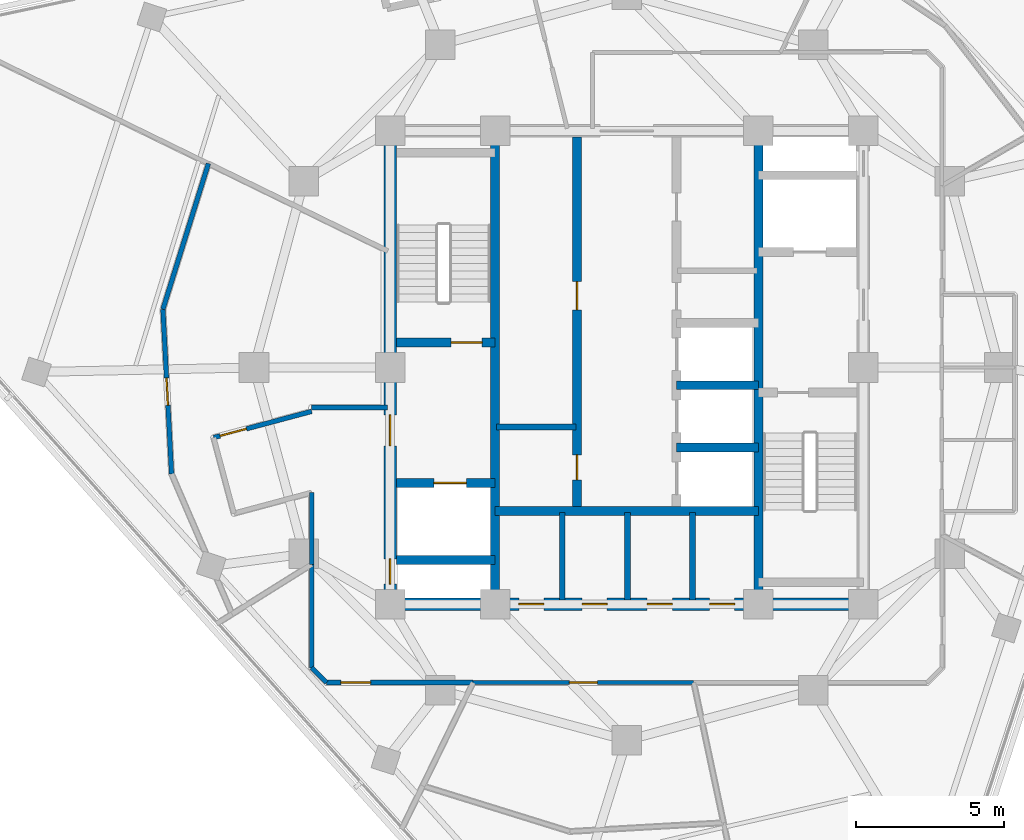
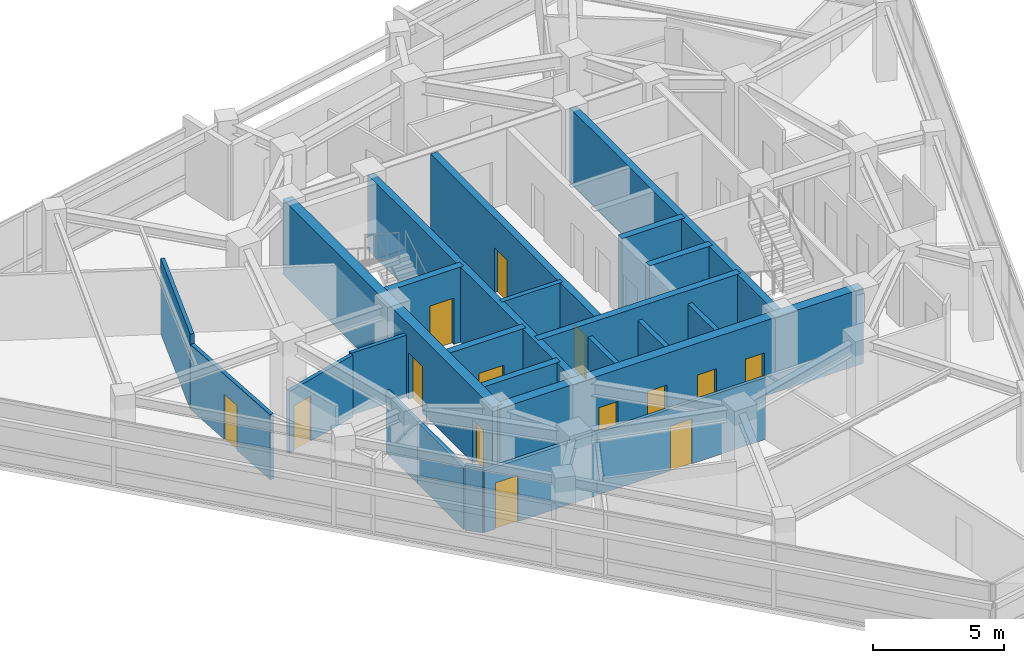
# One storey, part 8 of 15: 24 walls, 14 doors, 14 openings.
"""IFC4 building model written with IfcOpenShell, lengths in metres."""

from ifc_helpers import new_model, si_unit, direction, frame, frame_2d, origin, place, context, subcontext, project, spatial, rectangle, extrude, material, layer, layer_set, type_object, element, fill, save


model = new_model("IFC4")

# Units and contexts
model_context = context("Model", 3, precision=1e-05, world=origin(), true_north=direction((0.0, 1.0)))
body_context = subcontext(model_context, "Body", "Model", "MODEL_VIEW")
ifc_project = project(units=[si_unit("LENGTHUNIT", "METRE"), si_unit("AREAUNIT", "SQUARE_METRE"), si_unit("VOLUMEUNIT", "CUBIC_METRE"), si_unit("PLANEANGLEUNIT", "RADIAN"), si_unit("MASSUNIT", "GRAM", prefix="KILO")], contexts=[model_context])

# Site, building, storey
site_placement = place(None, origin())
site = spatial("IfcSite", under=ifc_project, at=site_placement, CompositionType="ELEMENT")
building_placement = place(site_placement, origin())
building = spatial("IfcBuilding", under=site, at=building_placement, Name="Terralouvre Media Tower", CompositionType="ELEMENT")
storey_placement = place(building_placement, frame((0.0, 0.0, 305.39990234375)))
storey = spatial("IfcBuildingStorey", under=building, at=storey_placement, Name="L79", CompositionType="ELEMENT", Elevation=305.39990234375)

# Walls
ifc_material_1 = material(Name="Concrete C50/60", Category="concrete")
ifc_layer_1 = layer(ifc_material_1, 0.300048828125, Name="Core Internal Shaft Wall CW-300")
ifc_layer_set_1 = layer_set([ifc_layer_1], Name="Concrete C50/60")
wall_type_1 = type_object("IfcWallType", Name="Core Internal Shaft Wall CW-300", PredefinedType="SHEAR", material=ifc_layer_set_1)
for number, where, z_axis, x_axis, name in (
    (1, (-4.449951171875, -7.7900390625, 0.0), (0.0, 0.0, 1.0), (0.0, 1.0, 0.0), "L79 Core Shaft Wall SPW"),
    (2, (4.449951171875, -7.7900390625, 0.0), (0.0, 0.0, 1.0), (0.0, 1.0, 0.0), "L79 Core Shaft Wall SPE"),
):
    element("IfcWall", number, at=place(storey_placement, frame(where, z_axis=z_axis, x_axis=x_axis)), inside=storey, type_object=wall_type_1, Name=name, PredefinedType="SHEAR", context=body_context, shape_type="SweptSolid", body=[
        extrude(rectangle(XDim=15.580078125, YDim=0.300048828125, at=frame_2d((7.7900390625, 0.0))), origin(), (0.0, 0.0, 1.0), 3.5),
    ])

# Wall, opening, door
wall_1_placement = place(storey_placement, frame((-7.7900390625, 0.85009765625, 0.0), z_axis=(0.0, 0.0, 1.0), x_axis=(1.0, 0.0, 0.0)))
wall_1 = element("IfcWall", 3, at=wall_1_placement, inside=storey, type_object=wall_type_1, Name="L79 Core Shaft Wall ST1D", PredefinedType="SHEAR", context=body_context, shape_type="SweptSolid", body=[
    extrude(rectangle(XDim=3.340087890625, YDim=0.300048828125, at=frame_2d((1.669921875, 0.0))), origin(), (0.0, 0.0, 1.0), 3.5),
])
opening_1_placement = place(wall_1_placement, frame((1.85009765625, 0.0, 0.0)))
opening_1 = element("IfcOpeningElement", 4, at=opening_1_placement, cuts=wall_1, Name="Opening FD-01-105X215", PredefinedType="OPENING", context=body_context, shape_type="SweptSolid", body=[
    extrude(rectangle(XDim=1.050048828125, YDim=2.14990234375, at=frame_2d((0.52490234375, 1.074951171875))), frame((0.0, 0.159912109375, 0.0), z_axis=(0.0, -1.0, 0.0), x_axis=(1.0, 0.0, 0.0)), (0.0, 0.0, 1.0), 0.320068359375),
])
ifc_material_2 = material(Name="Galvanised steel fire-resisting leaf", Category="steel")
door_type_1 = type_object("IfcDoorType", Name="Stair and Firefighting Lobby Fire Door FD-01 (1050x2150)", OperationType="NOTDEFINED", PredefinedType="DOOR", material=ifc_material_2)
door_1_placement = place(opening_1_placement, origin())
door_1 = element("IfcDoor", 5, at=door_1_placement, inside=storey, type_object=door_type_1, Name="L79 ST-01 Exit Stair Door", OperationType="SINGLE_SWING_LEFT", OverallHeight=2.14990234375, OverallWidth=1.050048828125, PredefinedType="DOOR", context=body_context, shape_type="SweptSolid", body=[
    extrude(rectangle(XDim=1.050048828125, YDim=2.14990234375, at=frame_2d((0.52490234375, 1.074951171875))), frame((0.0, 0.02490234375, 0.0), z_axis=(0.0, -1.0, 0.0), x_axis=(1.0, 0.0, 0.0)), (0.0, 0.0, 1.0), 0.050048828125),
])
fill(opening_1, door_1)

wall_2_placement = place(storey_placement, frame((-7.7900390625, -3.89990234375, 0.0), z_axis=(0.0, 0.0, 1.0), x_axis=(1.0, 0.0, 0.0)))
wall_2 = element("IfcWall", 6, at=wall_2_placement, inside=storey, type_object=wall_type_1, Name="L79 Core Shaft Wall FF1N", PredefinedType="SHEAR", context=body_context, shape_type="SweptSolid", body=[
    extrude(rectangle(XDim=3.340087890625, YDim=0.300048828125, at=frame_2d((1.669921875, 0.0))), origin(), (0.0, 0.0, 1.0), 3.5),
])
opening_2_placement = place(wall_2_placement, frame((1.27001953125, 0.0, 0.0)))
opening_2 = element("IfcOpeningElement", 7, at=opening_2_placement, cuts=wall_2, Name="Opening LD-FF", PredefinedType="OPENING", context=body_context, shape_type="SweptSolid", body=[
    extrude(rectangle(XDim=1.10009765625, YDim=2.10009765625, at=frame_2d((0.550048828125, 1.050048828125))), frame((0.0, 0.159912109375, 0.0), z_axis=(0.0, -1.0, 0.0), x_axis=(1.0, 0.0, 0.0)), (0.0, 0.0, 1.0), 0.320068359375),
])
ifc_material_3 = material(Name="Stainless steel 316 handrail and balustrade", Category="steel")
door_type_2 = type_object("IfcDoorType", Name="Firefighting Lift Sliding Landing Door LD-FF", OperationType="SLIDING_TO_LEFT", PredefinedType="DOOR", material=ifc_material_3)
door_2_placement = place(opening_2_placement, origin())
door_2 = element("IfcDoor", 8, at=door_2_placement, inside=storey, type_object=door_type_2, Name="L79 Firefighting Lift FFL-01 Landing Door", OperationType="SLIDING_TO_LEFT", OverallHeight=2.10009765625, OverallWidth=1.10009765625, PredefinedType="DOOR", context=body_context, shape_type="SweptSolid", body=[
    extrude(rectangle(XDim=1.10009765625, YDim=2.10009765625, at=frame_2d((0.550048828125, 1.050048828125))), frame((0.0, 0.02490234375, 0.0), z_axis=(0.0, -1.0, 0.0), x_axis=(1.0, 0.0, 0.0)), (0.0, 0.0, 1.0), 0.050048828125),
])
fill(opening_2, door_2)

# Walls
wall_3_placement = place(storey_placement, frame((-7.7900390625, -6.5, 0.0), z_axis=(0.0, 0.0, 1.0), x_axis=(1.0, 0.0, 0.0)))
element("IfcWall", 9, at=wall_3_placement, inside=storey, type_object=wall_type_1, Name="L79 Core Shaft Wall FF1S", PredefinedType="SHEAR", context=body_context, shape_type="SweptSolid", body=[
    extrude(rectangle(XDim=3.340087890625, YDim=0.300048828125, at=frame_2d((1.669921875, 0.0))), origin(), (0.0, 0.0, 1.0), 3.5),
])
wall_4_placement = place(storey_placement, frame((-4.449951171875, -4.85009765625, 0.0), z_axis=(0.0, 0.0, 1.0), x_axis=(1.0, 0.0, 0.0)))
element("IfcWall", 10, at=wall_4_placement, inside=storey, type_object=wall_type_1, Name="L79 Core Shaft Wall CSBN", PredefinedType="SHEAR", context=body_context, shape_type="SweptSolid", body=[
    extrude(rectangle(XDim=8.89990234375, YDim=0.300048828125, at=frame_2d((4.449951171875, 0.0))), origin(), (0.0, 0.0, 1.0), 3.5),
])

# Wall, openings, doors
wall_5_placement = place(storey_placement, frame((-1.679931640625, -4.85009765625, 0.0), z_axis=(0.0, 0.0, 1.0), x_axis=(0.0, 1.0, 0.0)))
wall_5 = element("IfcWall", 11, at=wall_5_placement, inside=storey, type_object=wall_type_1, Name="L79 Core Shaft Wall LBW", PredefinedType="SHEAR", context=body_context, shape_type="SweptSolid", body=[
    extrude(rectangle(XDim=12.64013671875, YDim=0.300048828125, at=frame_2d((6.320068359375, 0.0))), origin(), (0.0, 0.0, 1.0), 3.5),
])
opening_3_placement = place(wall_5_placement, frame((1.050048828125, 0.0, 0.0)))
opening_3 = element("IfcOpeningElement", 12, at=opening_3_placement, cuts=wall_5, Name="Opening TD-R1", PredefinedType="OPENING", context=body_context, shape_type="SweptSolid", body=[
    extrude(rectangle(XDim=0.85009765625, YDim=2.02001953125, at=frame_2d((0.425048828125, 1.010009765625))), frame((0.0, 0.159912109375, 0.0), z_axis=(0.0, -1.0, 0.0), x_axis=(1.0, 0.0, 0.0)), (0.0, 0.0, 1.0), 0.320068359375),
])
opening_4_placement = place(wall_5_placement, frame((6.800048828125, 0.0, 0.0)))
opening_4 = element("IfcOpeningElement", 13, at=opening_4_placement, cuts=wall_5, Name="Opening FD-02-95X210", PredefinedType="OPENING", context=body_context, shape_type="SweptSolid", body=[
    extrude(rectangle(XDim=0.949951171875, YDim=2.10009765625, at=frame_2d((0.47509765625, 1.050048828125))), frame((0.0, 0.159912109375, 0.0), z_axis=(0.0, -1.0, 0.0), x_axis=(1.0, 0.0, 0.0)), (0.0, 0.0, 1.0), 0.320068359375),
])
ifc_material_4 = material(Name="Galvanised steel fire-resisting leaf", Category="steel")
door_type_3 = type_object("IfcDoorType", Name="Plant and Riser Fire Door FD-02 (950x2100)", OperationType="NOTDEFINED", PredefinedType="DOOR", material=ifc_material_4)
door_3_placement = place(opening_4_placement, origin())
door_3 = element("IfcDoor", 14, at=door_3_placement, inside=storey, type_object=door_type_3, Name="L79 Core Patch Rack Plant Door", OperationType="SINGLE_SWING_RIGHT", OverallHeight=2.10009765625, OverallWidth=0.949951171875, PredefinedType="DOOR", context=body_context, shape_type="SweptSolid", body=[
    extrude(rectangle(XDim=0.949951171875, YDim=2.10009765625, at=frame_2d((0.47509765625, 1.050048828125))), frame((0.0, 0.02490234375, 0.0), z_axis=(0.0, -1.0, 0.0), x_axis=(1.0, 0.0, 0.0)), (0.0, 0.0, 1.0), 0.050048828125),
])
fill(opening_4, door_3)
ifc_material_5 = material(Name="Galvanised steel fire-resisting leaf", Category="steel")
door_type_4 = type_object("IfcDoorType", Name="Riser Inspection Access Trapdoor TD-R1", OperationType="NOTDEFINED", PredefinedType="TRAPDOOR", material=ifc_material_5)
door_4_placement = place(opening_3_placement, origin())
door_4 = element("IfcDoor", 15, at=door_4_placement, inside=storey, type_object=door_type_4, Name="L79 Core Cleaners Store Door", OperationType="SINGLE_SWING_LEFT", OverallHeight=2.02001953125, OverallWidth=0.85009765625, PredefinedType="TRAPDOOR", context=body_context, shape_type="SweptSolid", body=[
    extrude(rectangle(XDim=0.85009765625, YDim=2.02001953125, at=frame_2d((0.425048828125, 1.010009765625))), frame((0.0, 0.02490234375, 0.0), z_axis=(0.0, -1.0, 0.0), x_axis=(1.0, 0.0, 0.0)), (0.0, 0.0, 1.0), 0.050048828125),
])
fill(opening_3, door_4)

# Walls
for number, where, z_axis, x_axis, name in (
    (16, (1.679931640625, -2.699951171875, 0.0), (0.0, 0.0, 1.0), (1.0, 0.0, 0.0), "L79 Core Shaft Wall PLHD1"),
    (17, (1.679931640625, -0.60009765625, 0.0), (0.0, 0.0, 1.0), (1.0, 0.0, 0.0), "L79 Core Shaft Wall PLHD2"),
):
    element("IfcWall", number, at=place(storey_placement, frame(where, z_axis=z_axis, x_axis=x_axis)), inside=storey, type_object=wall_type_1, Name=name, PredefinedType="SHEAR", context=body_context, shape_type="SweptSolid", body=[
        extrude(rectangle(XDim=2.77001953125, YDim=0.300048828125, at=frame_2d((1.385009765625, 0.0))), origin(), (0.0, 0.0, 1.0), 3.5),
    ])

# Wall, openings, doors
ifc_material_6 = material(Name="Concrete C60/75", Category="concrete")
ifc_layer_2 = layer(ifc_material_6, 0.419921875, Name="Core Reinforced Concrete Shear Wall CW-420")
ifc_layer_set_2 = layer_set([ifc_layer_2], Name="Concrete C60/75")
wall_type_2 = type_object("IfcWallType", Name="Core Reinforced Concrete Shear Wall CW-420", PredefinedType="SHEAR", material=ifc_layer_set_2)
wall_6_placement = place(storey_placement, frame((-8.0, -8.0, 0.0), z_axis=(0.0, 0.0, 1.0), x_axis=(0.0, 1.0, 0.0)))
wall_6 = element("IfcWall", 18, at=wall_6_placement, inside=storey, type_object=wall_type_2, Name="L79 W Core Shear Wall", PredefinedType="SHEAR", context=body_context, shape_type="SweptSolid", body=[
    extrude(rectangle(XDim=16.0, YDim=0.419921875, at=frame_2d((8.0, 0.0))), origin(), (0.0, 0.0, 1.0), 3.5),
])
opening_5_placement = place(wall_6_placement, frame((0.68115234375, 0.0, 0.0)))
opening_5 = element("IfcOpeningElement", 19, at=opening_5_placement, cuts=wall_6, Name="Opening TD-R1", PredefinedType="OPENING", context=body_context, shape_type="SweptSolid", body=[
    extrude(rectangle(XDim=0.85009765625, YDim=2.02001953125, at=frame_2d((0.425048828125, 1.010009765625))), frame((0.0, 0.219970703125, 0.0), z_axis=(0.0, -1.0, 0.0), x_axis=(1.0, 0.0, 0.0)), (0.0, 0.0, 1.0), 0.43994140625),
])
opening_6_placement = place(wall_6_placement, frame((5.35009765625, 0.0, 0.0)))
opening_6 = element("IfcOpeningElement", 20, at=opening_6_placement, cuts=wall_6, Name="Opening FD-01-105X215", PredefinedType="OPENING", context=body_context, shape_type="SweptSolid", body=[
    extrude(rectangle(XDim=1.050048828125, YDim=2.14990234375, at=frame_2d((0.52490234375, 1.074951171875))), frame((0.0, 0.219970703125, 0.0), z_axis=(0.0, -1.0, 0.0), x_axis=(1.0, 0.0, 0.0)), (0.0, 0.0, 1.0), 0.43994140625),
])
door_5_placement = place(opening_5_placement, origin())
door_5 = element("IfcDoor", 21, at=door_5_placement, inside=storey, type_object=door_type_4, Name="L79 Wet Riser Access Trapdoor", OperationType="SINGLE_SWING_LEFT", OverallHeight=2.02001953125, OverallWidth=0.85009765625, PredefinedType="TRAPDOOR", context=body_context, shape_type="SweptSolid", body=[
    extrude(rectangle(XDim=0.85009765625, YDim=2.02001953125, at=frame_2d((0.425048828125, 1.010009765625))), frame((0.0, 0.02490234375, 0.0), z_axis=(0.0, -1.0, 0.0), x_axis=(1.0, 0.0, 0.0)), (0.0, 0.0, 1.0), 0.050048828125),
])
fill(opening_5, door_5)
door_6_placement = place(opening_6_placement, origin())
door_6 = element("IfcDoor", 22, at=door_6_placement, inside=storey, type_object=door_type_1, Name="L79 West Firefighting Lobby Entry Door", OperationType="SINGLE_SWING_RIGHT", OverallHeight=2.14990234375, OverallWidth=1.050048828125, PredefinedType="DOOR", context=body_context, shape_type="SweptSolid", body=[
    extrude(rectangle(XDim=1.050048828125, YDim=2.14990234375, at=frame_2d((0.52490234375, 1.074951171875))), frame((0.0, 0.02490234375, 0.0), z_axis=(0.0, -1.0, 0.0), x_axis=(1.0, 0.0, 0.0)), (0.0, 0.0, 1.0), 0.050048828125),
])
fill(opening_6, door_6)

wall_7_placement = place(storey_placement, frame((-8.0, -8.0, 0.0), z_axis=(0.0, 0.0, 1.0), x_axis=(1.0, 0.0, 0.0)))
wall_7 = element("IfcWall", 23, at=wall_7_placement, inside=storey, type_object=wall_type_2, Name="L79 S Core Shear Wall", PredefinedType="SHEAR", context=body_context, shape_type="SweptSolid", body=[
    extrude(rectangle(XDim=16.0, YDim=0.419921875, at=frame_2d((8.0, 0.0))), origin(), (0.0, 0.0, 1.0), 3.5),
])
opening_7_placement = place(wall_7_placement, frame((4.35009765625, 0.0, 0.0)))
opening_7 = element("IfcOpeningElement", 24, at=opening_7_placement, cuts=wall_7, Name="Opening TD-R1", PredefinedType="OPENING", context=body_context, shape_type="SweptSolid", body=[
    extrude(rectangle(XDim=0.85009765625, YDim=2.02001953125, at=frame_2d((0.425048828125, 1.010009765625))), frame((0.0, 0.219970703125, 0.0), z_axis=(0.0, -1.0, 0.0), x_axis=(1.0, 0.0, 0.0)), (0.0, 0.0, 1.0), 0.43994140625),
])
opening_8_placement = place(wall_7_placement, frame((6.489990234375, 0.0, 0.0)))
opening_8 = element("IfcOpeningElement", 25, at=opening_8_placement, cuts=wall_7, Name="Opening TD-R1", PredefinedType="OPENING", context=body_context, shape_type="SweptSolid", body=[
    extrude(rectangle(XDim=0.85009765625, YDim=2.02001953125, at=frame_2d((0.425048828125, 1.010009765625))), frame((0.0, 0.219970703125, 0.0), z_axis=(0.0, -1.0, 0.0), x_axis=(1.0, 0.0, 0.0)), (0.0, 0.0, 1.0), 0.43994140625),
])
opening_9_placement = place(wall_7_placement, frame((8.68994140625, 0.0, 0.0)))
opening_9 = element("IfcOpeningElement", 26, at=opening_9_placement, cuts=wall_7, Name="Opening TD-R1", PredefinedType="OPENING", context=body_context, shape_type="SweptSolid", body=[
    extrude(rectangle(XDim=0.85009765625, YDim=2.02001953125, at=frame_2d((0.425048828125, 1.010009765625))), frame((0.0, 0.219970703125, 0.0), z_axis=(0.0, -1.0, 0.0), x_axis=(1.0, 0.0, 0.0)), (0.0, 0.0, 1.0), 0.43994140625),
])
opening_10_placement = place(wall_7_placement, frame((10.800048828125, 0.0, 0.0)))
opening_10 = element("IfcOpeningElement", 27, at=opening_10_placement, cuts=wall_7, Name="Opening TD-R1", PredefinedType="OPENING", context=body_context, shape_type="SweptSolid", body=[
    extrude(rectangle(XDim=0.85009765625, YDim=2.02001953125, at=frame_2d((0.425048828125, 1.010009765625))), frame((0.0, 0.219970703125, 0.0), z_axis=(0.0, -1.0, 0.0), x_axis=(1.0, 0.0, 0.0)), (0.0, 0.0, 1.0), 0.43994140625),
])
door_7_placement = place(opening_7_placement, origin())
door_7 = element("IfcDoor", 28, at=door_7_placement, inside=storey, type_object=door_type_4, Name="L79 Core Battery Plant Door", OperationType="SINGLE_SWING_LEFT", OverallHeight=2.02001953125, OverallWidth=0.85009765625, PredefinedType="TRAPDOOR", context=body_context, shape_type="SweptSolid", body=[
    extrude(rectangle(XDim=0.85009765625, YDim=2.02001953125, at=frame_2d((0.425048828125, 1.010009765625))), frame((0.0, 0.02490234375, 0.0), z_axis=(0.0, -1.0, 0.0), x_axis=(1.0, 0.0, 0.0)), (0.0, 0.0, 1.0), 0.050048828125),
])
fill(opening_7, door_7)
door_8_placement = place(opening_8_placement, origin())
door_8 = element("IfcDoor", 29, at=door_8_placement, inside=storey, type_object=door_type_4, Name="L79 Core IT Patch Plant Door", OperationType="SINGLE_SWING_RIGHT", OverallHeight=2.02001953125, OverallWidth=0.85009765625, PredefinedType="TRAPDOOR", context=body_context, shape_type="SweptSolid", body=[
    extrude(rectangle(XDim=0.85009765625, YDim=2.02001953125, at=frame_2d((0.425048828125, 1.010009765625))), frame((0.0, 0.02490234375, 0.0), z_axis=(0.0, -1.0, 0.0), x_axis=(1.0, 0.0, 0.0)), (0.0, 0.0, 1.0), 0.050048828125),
])
fill(opening_8, door_8)
door_9_placement = place(opening_9_placement, origin())
door_9 = element("IfcDoor", 30, at=door_9_placement, inside=storey, type_object=door_type_4, Name="L79 Core Housekeeping Store Door", OperationType="SINGLE_SWING_LEFT", OverallHeight=2.02001953125, OverallWidth=0.85009765625, PredefinedType="TRAPDOOR", context=body_context, shape_type="SweptSolid", body=[
    extrude(rectangle(XDim=0.85009765625, YDim=2.02001953125, at=frame_2d((0.425048828125, 1.010009765625))), frame((0.0, 0.02490234375, 0.0), z_axis=(0.0, -1.0, 0.0), x_axis=(1.0, 0.0, 0.0)), (0.0, 0.0, 1.0), 0.050048828125),
])
fill(opening_9, door_9)
door_10_placement = place(opening_10_placement, origin())
door_10 = element("IfcDoor", 31, at=door_10_placement, inside=storey, type_object=door_type_4, Name="L79 Core Smoke Damper Plant Door", OperationType="SINGLE_SWING_RIGHT", OverallHeight=2.02001953125, OverallWidth=0.85009765625, PredefinedType="TRAPDOOR", context=body_context, shape_type="SweptSolid", body=[
    extrude(rectangle(XDim=0.85009765625, YDim=2.02001953125, at=frame_2d((0.425048828125, 1.010009765625))), frame((0.0, 0.02490234375, 0.0), z_axis=(0.0, -1.0, 0.0), x_axis=(1.0, 0.0, 0.0)), (0.0, 0.0, 1.0), 0.050048828125),
])
fill(opening_10, door_10)

# Walls
ifc_material_7 = material(Name="Fire-rated gypsum board drywall partition")
ifc_layer_3 = layer(ifc_material_7, 0.199951171875, Name="Fire-Rated Shaft and Lobby Partition FW-200")
ifc_layer_set_3 = layer_set([ifc_layer_3], Name="Fire-rated gypsum board drywall partition")
wall_type_3 = type_object("IfcWallType", Name="Fire-Rated Shaft and Lobby Partition FW-200", PredefinedType="SOLIDWALL", material=ifc_layer_set_3)
for number, where, z_axis, x_axis, name in (
    (32, (-2.179931640625, -7.85009765625, 0.0), (0.0, 0.0, 1.0), (0.0, 1.0, 0.0), "L79 Core Service Bay Partition 1"),
    (33, (0.02001953125, -7.85009765625, 0.0), (0.0, 0.0, 1.0), (0.0, 1.0, 0.0), "L79 Core Service Bay Partition 2"),
    (34, (2.219970703125, -7.85009765625, 0.0), (0.0, 0.0, 1.0), (0.0, 1.0, 0.0), "L79 Core Service Bay Partition 3"),
):
    element("IfcWall", number, at=place(storey_placement, frame(where, z_axis=z_axis, x_axis=x_axis)), inside=storey, type_object=wall_type_3, Name=name, PredefinedType="SOLIDWALL", context=body_context, shape_type="SweptSolid", body=[
        extrude(rectangle(XDim=2.9501953125, YDim=0.199951171875, at=frame_2d((1.47509765625, 0.0))), origin(), (0.0, 0.0, 1.0), 2.885009765625),
    ])
wall_8_placement = place(storey_placement, frame((-4.39990234375, -2.010009765625, 0.0), z_axis=(0.0, 0.0, 1.0), x_axis=(1.0, 0.0, 0.0)))
element("IfcWall", 35, at=wall_8_placement, inside=storey, type_object=wall_type_3, Name="L79 Core West Sub-Partition 1", PredefinedType="SOLIDWALL", context=body_context, shape_type="SweptSolid", body=[
    extrude(rectangle(XDim=2.679931640625, YDim=0.199951171875, at=frame_2d((1.33984375, 0.0))), origin(), (0.0, 0.0, 1.0), 3.5),
])

# Wall, opening, door
ifc_material_8 = material(Name="Fire-rated gypsum board drywall partition")
ifc_layer_4 = layer(ifc_material_8, 0.135009765625, Name="Newsroom Acoustic Partition PT-135")
ifc_layer_set_4 = layer_set([ifc_layer_4], Name="Fire-rated gypsum board drywall partition")
wall_type_4 = type_object("IfcWallType", Name="Newsroom Acoustic Partition PT-135", PredefinedType="PARTITIONING", material=ifc_layer_set_4)
wall_9_placement = place(storey_placement, frame((-5.194091796875, -10.64990234375, 0.0), z_axis=(0.0, 0.0, 1.0), x_axis=(1.0, 0.0, 0.0)))
wall_9 = element("IfcWall", 36, at=wall_9_placement, inside=storey, type_object=wall_type_4, Name="L79 Interior Partition 009", PredefinedType="PARTITIONING", context=body_context, shape_type="SweptSolid", body=[
    extrude(rectangle(XDim=7.4580078125, YDim=0.135009765625, at=frame_2d((3.72900390625, 0.0))), origin(), (0.0, 0.0, 1.0), 2.885009765625),
])
opening_11_placement = place(wall_9_placement, frame((3.25390625, 0.0, 0.0)))
opening_11 = element("IfcOpeningElement", 37, at=opening_11_placement, cuts=wall_9, Name="Opening ID-02-95X210", PredefinedType="OPENING", context=body_context, shape_type="SweptSolid", body=[
    extrude(rectangle(XDim=0.949951171875, YDim=2.10009765625, at=frame_2d((0.47509765625, 1.050048828125))), frame((0.0, 0.077392578125, 0.0), z_axis=(0.0, -1.0, 0.0), x_axis=(1.0, 0.0, 0.0)), (0.0, 0.0, 1.0), 0.155029296875),
])
ifc_material_9 = material(Name="Engineered hardwood acoustic timber leaf", Category="wood")
door_type_5 = type_object("IfcDoorType", Name="Office and Meeting Room Door ID-02 (950x2100)", OperationType="NOTDEFINED", PredefinedType="DOOR", material=ifc_material_9)
door_11_placement = place(opening_11_placement, origin())
door_11 = element("IfcDoor", 38, at=door_11_placement, inside=storey, type_object=door_type_5, Name="L79 Foley Sound Creative Workshop 3 Door", OperationType="SINGLE_SWING_RIGHT", OverallHeight=2.10009765625, OverallWidth=0.949951171875, PredefinedType="DOOR", context=body_context, shape_type="SweptSolid", body=[
    extrude(rectangle(XDim=0.949951171875, YDim=2.10009765625, at=frame_2d((0.47509765625, 1.050048828125))), frame((0.0, 0.02490234375, 0.0), z_axis=(0.0, -1.0, 0.0), x_axis=(1.0, 0.0, 0.0)), (0.0, 0.0, 1.0), 0.050048828125),
])
fill(opening_11, door_11)

# Wall
ifc_material_10 = material(Name="Fire-rated gypsum board drywall partition")
ifc_layer_5 = layer(ifc_material_10, 0.159912109375, Name="Studio Acoustic Rated Partition PT-160")
ifc_layer_set_5 = layer_set([ifc_layer_5], Name="Fire-rated gypsum board drywall partition")
wall_type_5 = type_object("IfcWallType", Name="Studio Acoustic Rated Partition PT-160", PredefinedType="PARTITIONING", material=ifc_layer_set_5)
wall_10_placement = place(storey_placement, frame((-8.080078125, -1.35009765625, 0.0), z_axis=(0.0, 0.0, 1.0), x_axis=(-1.0, 0.0, 0.0)))
element("IfcWall", 39, at=wall_10_placement, inside=storey, type_object=wall_type_5, Name="L79 Interior Partition 001", PredefinedType="PARTITIONING", context=body_context, shape_type="SweptSolid", body=[
    extrude(rectangle(XDim=2.56982421875, YDim=0.159912109375, at=frame_2d((1.284912109375, 0.0))), origin(), (0.0, 0.0, 1.0), 2.885009765625),
])

# Wall, opening, door
wall_11_placement = place(storey_placement, frame((-10.64990234375, -1.48193359375, 0.0), z_axis=(0.0, 0.0, 1.0), x_axis=(-0.965961397105, -0.2586862565, 0.0)))
wall_11 = element("IfcWall", 40, at=wall_11_placement, inside=storey, type_object=wall_type_5, Name="L79 Interior Partition 002", PredefinedType="PARTITIONING", context=body_context, shape_type="SweptSolid", body=[
    extrude(rectangle(XDim=3.4287109375, YDim=0.159912109375, at=frame_2d((1.71435546875, 0.0))), origin(), (0.0, 0.0, 1.0), 2.885009765625),
])
opening_12_placement = place(wall_11_placement, frame((2.282958984375, 0.0, 0.0)))
opening_12 = element("IfcOpeningElement", 41, at=opening_12_placement, cuts=wall_11, Name="Opening ID-03-92X210", PredefinedType="OPENING", context=body_context, shape_type="SweptSolid", body=[
    extrude(rectangle(XDim=0.919921875, YDim=2.10009765625, at=frame_2d((0.4599609375, 1.050048828125))), frame((0.0, 0.08984375, 0.0), z_axis=(0.0, -1.0, 0.0), x_axis=(1.0, 0.0, 0.0)), (0.0, 0.0, 1.0), 0.179931640625),
])
ifc_material_11 = material(Name="Engineered hardwood acoustic timber leaf", Category="wood")
door_type_6 = type_object("IfcDoorType", Name="Accessible Restroom and Suite Door ID-03 (920x2100)", OperationType="NOTDEFINED", PredefinedType="DOOR", material=ifc_material_11)
door_12_placement = place(opening_12_placement, origin())
door_12 = element("IfcDoor", 42, at=door_12_placement, inside=storey, type_object=door_type_6, Name="L79 Audio Mastering Control Room 1 Door", OperationType="SINGLE_SWING_RIGHT", OverallHeight=2.10009765625, OverallWidth=0.919921875, PredefinedType="DOOR", context=body_context, shape_type="SweptSolid", body=[
    extrude(rectangle(XDim=0.919921875, YDim=2.10009765625, at=frame_2d((0.4599609375, 1.050048828125))), frame((0.0, 0.02490234375, 0.0), z_axis=(0.0, -1.0, 0.0), x_axis=(1.0, 0.0, 0.0)), (0.0, 0.0, 1.0), 0.050048828125),
])
fill(opening_12, door_12)

# Walls
wall_12_placement = place(storey_placement, frame((-10.64990234375, -4.22509765625, 0.0), z_axis=(0.0, 0.0, 1.0), x_axis=(0.0, -1.0, 0.0)))
element("IfcWall", 43, at=wall_12_placement, inside=storey, type_object=wall_type_5, Name="L79 Interior Partition 005", PredefinedType="PARTITIONING", context=body_context, shape_type="SweptSolid", body=[
    extrude(rectangle(XDim=2.429931640625, YDim=0.159912109375, at=frame_2d((1.21484375, 0.0))), origin(), (0.0, 0.0, 1.0), 2.885009765625),
])
wall_13_placement = place(storey_placement, frame((-10.64990234375, -6.655029296875, 0.0), z_axis=(0.0, 0.0, 1.0), x_axis=(0.0, -1.0, 0.0)))
element("IfcWall", 44, at=wall_13_placement, inside=storey, type_object=wall_type_5, Name="L79 Interior Partition 006", PredefinedType="PARTITIONING", context=body_context, shape_type="SweptSolid", body=[
    extrude(rectangle(XDim=3.494873046875, YDim=0.159912109375, at=frame_2d((1.74755859375, 0.0))), origin(), (0.0, 0.0, 1.0), 2.885009765625),
])
wall_14_placement = place(storey_placement, frame((-10.64990234375, -10.14990234375, 0.0), z_axis=(0.0, 0.0, 1.0), x_axis=(0.707106781187, -0.707106781187, 0.0)))
element("IfcWall", 45, at=wall_14_placement, inside=storey, type_object=wall_type_5, Name="L79 Interior Partition 007", PredefinedType="PARTITIONING", context=body_context, shape_type="SweptSolid", body=[
    extrude(rectangle(XDim=0.70703125, YDim=0.159912109375, at=frame_2d((0.353515625, 0.0))), origin(), (0.0, 0.0, 1.0), 3.03515625),
])

# Wall, opening, door
wall_15_placement = place(storey_placement, frame((-10.14990234375, -10.64990234375, 0.0), z_axis=(0.0, 0.0, 1.0), x_axis=(1.0, 0.0, 0.0)))
wall_15 = element("IfcWall", 46, at=wall_15_placement, inside=storey, type_object=wall_type_5, Name="L79 Interior Partition 008", PredefinedType="PARTITIONING", context=body_context, shape_type="SweptSolid", body=[
    extrude(rectangle(XDim=4.955810546875, YDim=0.159912109375, at=frame_2d((2.47802734375, 0.0))), origin(), (0.0, 0.0, 1.0), 2.885009765625),
])
opening_13_placement = place(wall_15_placement, frame((0.4912109375, 0.0, 0.0)))
opening_13 = element("IfcOpeningElement", 47, at=opening_13_placement, cuts=wall_15, Name="Opening ID-01-100X215", PredefinedType="OPENING", context=body_context, shape_type="SweptSolid", body=[
    extrude(rectangle(XDim=1.0, YDim=2.14990234375, at=frame_2d((0.5, 1.074951171875))), frame((0.0, 0.08984375, 0.0), z_axis=(0.0, -1.0, 0.0), x_axis=(1.0, 0.0, 0.0)), (0.0, 0.0, 1.0), 0.179931640625),
])
ifc_material_12 = material(Name="Engineered hardwood acoustic timber leaf", Category="wood")
door_type_7 = type_object("IfcDoorType", Name="Broadcast Studio Acoustic Single Door ID-01 (1000x2150)", OperationType="NOTDEFINED", PredefinedType="DOOR", material=ifc_material_12)
door_13_placement = place(opening_13_placement, origin())
door_13 = element("IfcDoor", 48, at=door_13_placement, inside=storey, type_object=door_type_7, Name="L79 Radio Continuity Control Room 2 Door", OperationType="SINGLE_SWING_LEFT", OverallHeight=2.14990234375, OverallWidth=1.0, PredefinedType="DOOR", context=body_context, shape_type="SweptSolid", body=[
    extrude(rectangle(XDim=1.0, YDim=2.14990234375, at=frame_2d((0.5, 1.074951171875))), frame((0.0, 0.02490234375, 0.0), z_axis=(0.0, -1.0, 0.0), x_axis=(1.0, 0.0, 0.0)), (0.0, 0.0, 1.0), 0.050048828125),
])
fill(opening_13, door_13)

# Wall
wall_16_placement = place(storey_placement, frame((-14.138916015625, 6.89599609375, 0.0), z_axis=(0.0, 0.0, 1.0), x_axis=(-0.298099863076, -0.954534688544, 0.0)))
element("IfcWall", 49, at=wall_16_placement, inside=storey, type_object=wall_type_5, Name="L79 Interior Partition 025", PredefinedType="PARTITIONING", context=body_context, shape_type="SweptSolid", body=[
    extrude(rectangle(XDim=5.15966796875, YDim=0.159912109375, at=frame_2d((2.579833984375, 0.0))), origin(), (0.0, 0.0, 1.0), 3.5),
])

# Wall, opening, door
wall_17_placement = place(storey_placement, frame((-15.677001953125, 1.970947265625, 0.0), z_axis=(0.0, 0.0, 1.0), x_axis=(0.052349772407, -0.998628810584, 0.0)))
wall_17 = element("IfcWall", 50, at=wall_17_placement, inside=storey, type_object=wall_type_5, Name="L79 Interior Partition 026", PredefinedType="PARTITIONING", context=body_context, shape_type="SweptSolid", body=[
    extrude(rectangle(XDim=5.57763671875, YDim=0.159912109375, at=frame_2d((2.788818359375, 0.0))), origin(), (0.0, 0.0, 1.0), 3.03515625),
])
opening_14_placement = place(wall_17_placement, frame((2.328857421875, 0.0, 0.0)))
opening_14 = element("IfcOpeningElement", 51, at=opening_14_placement, cuts=wall_17, Name="Opening ID-03-92X210", PredefinedType="OPENING", context=body_context, shape_type="SweptSolid", body=[
    extrude(rectangle(XDim=0.919921875, YDim=2.10009765625, at=frame_2d((0.4599609375, 1.050048828125))), frame((0.0, 0.08984375, 0.0), z_axis=(0.0, -1.0, 0.0), x_axis=(1.0, 0.0, 0.0)), (0.0, 0.0, 1.0), 0.179931640625),
])
door_14_placement = place(opening_14_placement, origin())
door_14 = element("IfcDoor", 52, at=door_14_placement, inside=storey, type_object=door_type_6, Name="L79 Program Schedule Briefing Room 11 Door", OperationType="SINGLE_SWING_LEFT", OverallHeight=2.10009765625, OverallWidth=0.919921875, PredefinedType="DOOR", context=body_context, shape_type="SweptSolid", body=[
    extrude(rectangle(XDim=0.919921875, YDim=2.10009765625, at=frame_2d((0.4599609375, 1.050048828125))), frame((0.0, 0.02490234375, 0.0), z_axis=(0.0, -1.0, 0.0), x_axis=(1.0, 0.0, 0.0)), (0.0, 0.0, 1.0), 0.050048828125),
])
fill(opening_14, door_14)

save(model, "model.ifc")
